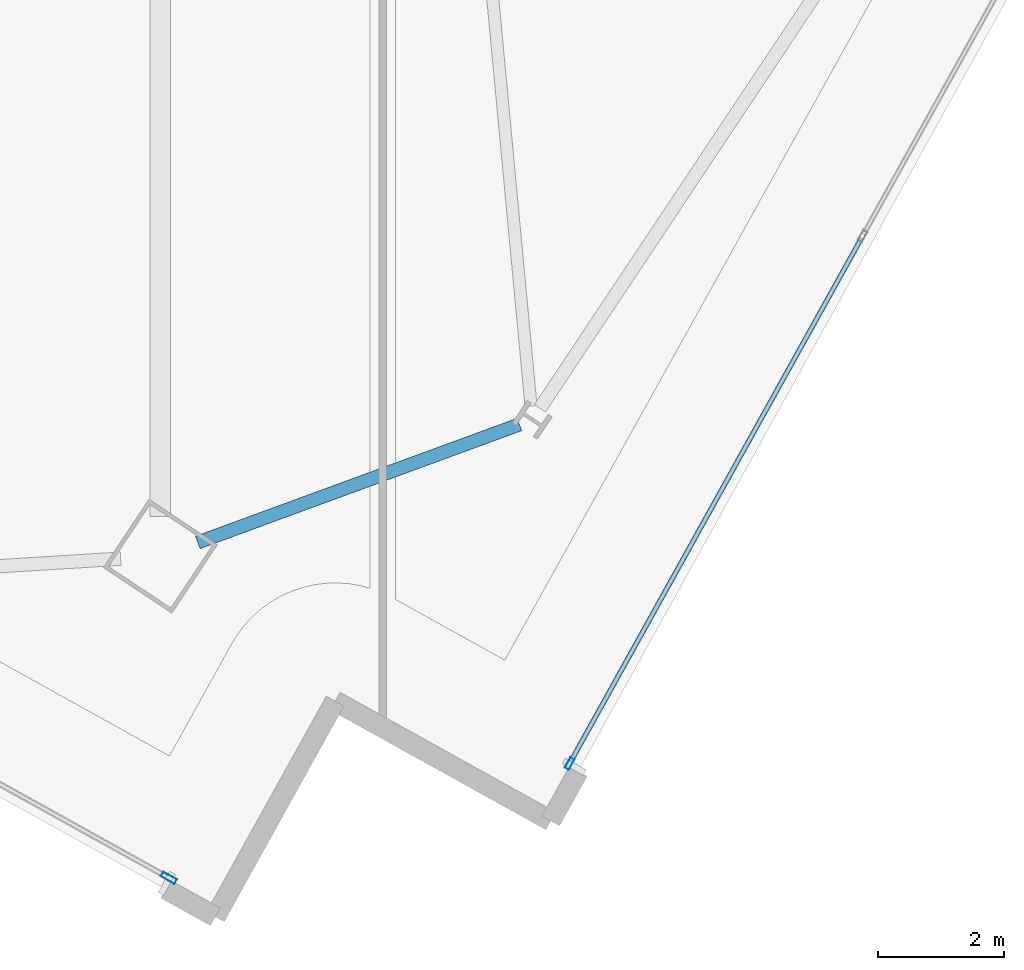
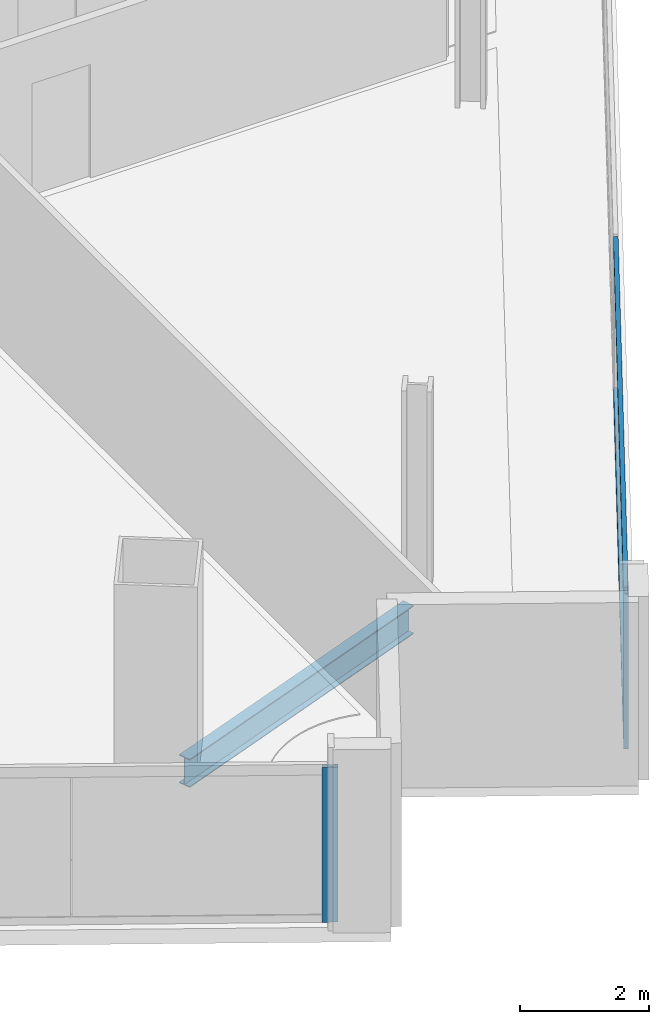
# One storey, part 7 of 28: 4 members, 1 beam, 2 elements without a shape of their own.
"""IFC4 building model written with IfcOpenShell, lengths in metres."""

import ifcopenshell
import ifcopenshell.guid

model = None  # the IFC model being written
_history = None  # IfcOwnerHistory: only IFC2X3 demands one
_inside = {}  # id of a spatial element -> (the spatial element, [elements in it])
_under = {}  # id of a project, library or spatial element -> (it, [spatial elements below it])
_declared = {}  # id of a project -> (the project, [libraries it declares])
_typed = {}  # id of a type object -> (the type object, [elements of that type])
_made_of = {}  # id of a material, layer set ... -> (it, [elements and type objects made of it])


def new_model(schema):
    """Start an empty IFC model of exactly this schema.

    Asked for "IFC4X3", IfcOpenShell would pick the latest addendum, in which some entities
    have other attributes; the version numbers below select the first issue.
    IFC2X3 requires an IfcOwnerHistory on every rooted entity: one is made here for all.
    """
    global model, _history
    if schema == "IFC4X3":
        model = ifcopenshell.file(schema_version=(4, 3, 0, 0))
    else:
        model = ifcopenshell.file(schema=schema)
    _inside.clear()
    _under.clear()
    _declared.clear()
    _typed.clear()
    _made_of.clear()
    _history = None
    if model.schema == "IFC2X3":
        org = make("IfcOrganization", Name="unknown")
        user = make(
            "IfcPersonAndOrganization",
            ThePerson=make("IfcPerson", FamilyName="unknown"),
            TheOrganization=org,
        )
        app = make(
            "IfcApplication",
            ApplicationDeveloper=org,
            Version="unknown",
            ApplicationFullName="unknown",
            ApplicationIdentifier="unknown",
        )
        _history = make(
            "IfcOwnerHistory",
            OwningUser=user,
            OwningApplication=app,
            ChangeAction="ADDED",
            CreationDate=0,
        )
    return model


def make(cls, **values):
    """One entity of the class cls with the attributes given. An attribute that is None is left unset."""
    return model.create_entity(
        cls, **{name: value for name, value in values.items() if value is not None}
    )


def rooted(cls, **values):
    """An entity with a GlobalId (a new one), such as an element, a storey or a relation."""
    return make(cls, GlobalId=ifcopenshell.guid.new(), OwnerHistory=_history, **values)


def si_unit(unit_type, name, prefix=None):
    """IfcSIUnit, for example si_unit("LENGTHUNIT", "METRE", prefix="MILLI")."""
    return make("IfcSIUnit", UnitType=unit_type, Prefix=prefix, Name=name)


def assignment(units):
    """IfcUnitAssignment: the units of a project."""
    return None if units is None else make("IfcUnitAssignment", Units=units)


def point(xyz):
    """IfcCartesianPoint."""
    return None if xyz is None else make("IfcCartesianPoint", Coordinates=xyz)


def direction(xyz):
    """IfcDirection."""
    return None if xyz is None else make("IfcDirection", DirectionRatios=xyz)


def frame(location, z_axis=None, x_axis=None):
    """IfcAxis2Placement3D, a coordinate frame: its origin and axes. An axis left out is left unset."""
    return make(
        "IfcAxis2Placement3D",
        Location=point(location),
        Axis=direction(z_axis),
        RefDirection=direction(x_axis),
    )


def frame_2d(location, x_axis=None):
    """IfcAxis2Placement2D, a coordinate frame in the plane: its origin and x axis."""
    return make(
        "IfcAxis2Placement2D", Location=point(location), RefDirection=direction(x_axis)
    )


def origin():
    """The frame at (0, 0, 0) with its axes left unset."""
    return frame((0.0, 0.0, 0.0))


def origin_2d():
    """The frame at (0, 0) in the plane with its x axis left unset."""
    return frame_2d((0.0, 0.0))


def place(relative_to, where):
    """IfcLocalPlacement: puts the frame where relative to a parent placement (None: the world)."""
    return make(
        "IfcLocalPlacement", PlacementRelTo=relative_to, RelativePlacement=where
    )


def context(
    kind, dimensions, precision=None, world=None, true_north=None, identifier=None
):
    """IfcGeometricRepresentationContext, for example the 3D "Model" context."""
    return make(
        "IfcGeometricRepresentationContext",
        ContextIdentifier=identifier,
        ContextType=kind,
        CoordinateSpaceDimension=dimensions,
        Precision=precision,
        WorldCoordinateSystem=world,
        TrueNorth=true_north,
    )


def subcontext(parent, identifier, kind, view, scale=None):
    """IfcGeometricRepresentationSubContext, for example "Body" below "Model"."""
    return make(
        "IfcGeometricRepresentationSubContext",
        ContextIdentifier=identifier,
        ContextType=kind,
        ParentContext=parent,
        TargetScale=scale,
        TargetView=view,
    )


def project(units=None, contexts=None):
    """IfcProject with its units and contexts."""
    return rooted(
        "IfcProject",
        Name="project",
        RepresentationContexts=contexts,
        UnitsInContext=assignment(units),
    )


def spatial(cls, under=None, at=None, **own):
    """A site, building, storey or space (cls), placed at a placement, below another one or the project."""
    s = rooted(cls, ObjectPlacement=at, **own)
    if under is not None:
        _under.setdefault(under.id(), (under, []))[1].append(s)
    return s


def profile(cls, at=None, kind="AREA", **sizes):
    """A parametric profile (cls). Its sizes go by their IFC names, for example OverallWidth=200.0."""
    return make(cls, ProfileType=kind, Position=at, **sizes)


def hollow_rectangle(**sizes):
    """IfcRectangleHollowProfileDef."""
    return profile("IfcRectangleHollowProfileDef", **sizes)


def i_section(**sizes):
    """IfcIShapeProfileDef."""
    return profile("IfcIShapeProfileDef", **sizes)


def extrude(swept, where, along, depth):
    """IfcExtrudedAreaSolid: the profile swept, set in the frame where, extruded along a direction by depth."""
    return make(
        "IfcExtrudedAreaSolid",
        SweptArea=swept,
        Position=where,
        ExtrudedDirection=direction(along),
        Depth=depth,
    )


def shape(context_of_items, identifier, shape_type, items):
    """IfcShapeRepresentation: the items that make up one representation, for example the "Body"."""
    return make(
        "IfcShapeRepresentation",
        ContextOfItems=context_of_items,
        RepresentationIdentifier=identifier,
        RepresentationType=shape_type,
        Items=items,
    )


def material(Name=None, Category=None):
    """IfcMaterial."""
    return make("IfcMaterial", Name=Name, Category=Category)


def material_profile(
    of_material, cross_section, Name=None, Category=None, Priority=None
):
    """IfcMaterialProfile: a cross section and its material."""
    return make(
        "IfcMaterialProfile",
        Name=Name,
        Material=of_material,
        Profile=cross_section,
        Priority=Priority,
        Category=Category,
    )


def profile_set(profiles, Name=None, composite=None):
    """IfcMaterialProfileSet."""
    return make(
        "IfcMaterialProfileSet",
        Name=Name,
        MaterialProfiles=profiles,
        CompositeProfile=composite,
    )


def made_of(thing, what):
    """Note that an element or type object is made of a material, layer set ...; save() writes the relation."""
    if what is not None:
        _made_of.setdefault(what.id(), (what, []))[1].append(thing)
    return thing


def type_object(cls, material=None, **own):
    """A type object (cls), such as IfcWallType, which elements share."""
    return made_of(rooted(cls, **own), material)


def element(
    cls,
    number,
    at=None,
    inside=None,
    cuts=None,
    type_object=None,
    material=None,
    context=None,
    identifier="Body",
    shape_type=None,
    held_by="IfcProductDefinitionShape",
    body=None,
    shapes=None,
    **own,
):
    """One element of the class cls, such as IfcWall. Its Tag is "e" and its number.

    at: its placement. inside: the storey or other place that contains it. cuts: it is an
    opening in that element (IfcRelVoidsElement). A single representation is given by context,
    identifier, shape_type and body (its items); several are given by shapes. held_by: the class
    of the entity that holds the representations. save() writes the other relations.
    """
    e = rooted(cls, Tag="e%d" % number, ObjectPlacement=at, **own)
    if body is not None:
        shapes = [shape(context, identifier, shape_type, body)]
    if shapes is not None:
        e.Representation = make(held_by, Representations=shapes)
    if inside is not None:
        _inside.setdefault(inside.id(), (inside, []))[1].append(e)
    if cuts is not None:
        rooted(
            "IfcRelVoidsElement", RelatingBuildingElement=cuts, RelatedOpeningElement=e
        )
    if type_object is not None:
        _typed.setdefault(type_object.id(), (type_object, []))[1].append(e)
    return made_of(e, material)


def aggregate(whole, parts):
    """IfcRelAggregates: a whole, such as a stair, and the parts it consists of."""
    return rooted("IfcRelAggregates", RelatingObject=whole, RelatedObjects=parts)


def save(model, path):
    """Write the relations noted so far, then the file.

    IfcRelAggregates (storeys below a building ...), IfcRelContainedInSpatialStructure (elements
    in a storey), IfcRelDefinesByType, IfcRelAssociatesMaterial and IfcRelDeclares: one each for
    every whole, place, type object, material and project.
    """
    for whole, parts in _under.values():
        aggregate(whole, parts)
    for where, things in _inside.values():
        rooted(
            "IfcRelContainedInSpatialStructure",
            RelatedElements=things,
            RelatingStructure=where,
        )
    for kind, things in _typed.values():
        rooted("IfcRelDefinesByType", RelatedObjects=things, RelatingType=kind)
    for what, things in _made_of.values():
        rooted("IfcRelAssociatesMaterial", RelatedObjects=things, RelatingMaterial=what)
    for by, libraries in _declared.values():
        rooted("IfcRelDeclares", RelatingContext=by, RelatedDefinitions=libraries)
    model.write(path)


model = new_model("IFC4")

# Units and contexts
model_context = context("Model", 3, precision=1e-05, world=origin(), true_north=direction((0.0, 1.0)))
body_context = subcontext(model_context, "Body", "Model", "MODEL_VIEW")
ifc_project = project(units=[si_unit("LENGTHUNIT", "METRE"), si_unit("AREAUNIT", "SQUARE_METRE"), si_unit("VOLUMEUNIT", "CUBIC_METRE"), si_unit("PLANEANGLEUNIT", "RADIAN"), si_unit("MASSUNIT", "GRAM", prefix="KILO")], contexts=[model_context])

# Site, building, storey
site_placement = place(None, origin())
site = spatial("IfcSite", under=ifc_project, at=site_placement, CompositionType="ELEMENT")
building_placement = place(site_placement, origin())
building = spatial("IfcBuilding", under=site, at=building_placement, Name="Haldenkirk Collegiate Tower", CompositionType="ELEMENT")
storey_placement = place(building_placement, frame((0.0, 0.0, 232.199951171875)))
storey = spatial("IfcBuildingStorey", under=building, at=storey_placement, Name="L58", CompositionType="ELEMENT", Elevation=232.199951171875)

# Beam
ifc_material_1 = material(Name="Steel ASTM A992 Grade 50", Category="steel")
ifc_material_profile_1 = material_profile(ifc_material_1, i_section(OverallWidth=0.2099609375, OverallDepth=0.537109375, WebThickness=0.010986328125, FlangeThickness=0.017333984375, at=origin_2d()), Name="W21X68")
ifc_profile_set_1 = profile_set([ifc_material_profile_1], Name="Steel ASTM A992 Grade 50")
beam_type = type_object("IfcBeamType", Name="BM-SPANDREL-W21X68", PredefinedType="SPANDREL", material=ifc_profile_set_1)
beam_placement = place(storey_placement, frame((41.07421875, 1.5498046875, -0.54833984375), z_axis=(0.938836975249, 0.344361922843, 0.0), x_axis=(-0.344361922843, 0.938836975249, 0.0)))
element("IfcBeam", 1, at=beam_placement, inside=storey, type_object=beam_type, Name="L58 perimeter spandrel beam 01", PredefinedType="SPANDREL", context=body_context, shape_type="SweptSolid", body=[
    extrude(i_section(OverallWidth=0.2099609375, OverallDepth=0.537109375, WebThickness=0.010986328125, FlangeThickness=0.017333984375, at=origin_2d()), origin(), (0.0, 0.0, 1.0), 5.41650390625),
])

# Curtain wall, member
ifc_material_2 = material(Name="Anodised architectural bronze aluminium", Category="aluminium")
curtain_wall_type_1 = type_object("IfcCurtainWallType", Name="CW-SYS2-CONCAVE", PredefinedType="USERDEFINED", material=ifc_material_2)
curtain_wall_1_placement = place(storey_placement, origin())
curtain_wall_1 = element("IfcCurtainWall", 2, at=curtain_wall_1_placement, inside=storey, type_object=curtain_wall_type_1, Name="L58 South concave recessed bronze-anodised curtain wall", ObjectType="UNITISED CURTAIN WALL", PredefinedType="USERDEFINED")
ifc_material_profile_2 = material_profile(ifc_material_2, hollow_rectangle(XDim=0.074951171875, YDim=0.18994140625, WallThickness=0.0048828125, at=origin_2d()), Name="CW-MUL-02")
ifc_profile_set_2 = profile_set([ifc_material_profile_2], Name="Anodised architectural bronze aluminium")
member_type_1 = type_object("IfcMemberType", Name="CW-MUL-02", PredefinedType="MULLION", material=ifc_profile_set_2)
member_1_placement = place(storey_placement, frame((46.95263671875, -1.946533203125, 0.0), z_axis=(0.0, 0.0, 1.0), x_axis=(0.874195452624, -0.485574207111, 0.0)))
member_1 = element("IfcMember", 3, at=member_1_placement, type_object=member_type_1, Name="CW-02 mullion 5", PredefinedType="MULLION", context=body_context, shape_type="SweptSolid", body=[
    extrude(hollow_rectangle(XDim=0.074951171875, YDim=0.18994140625, WallThickness=0.0048828125, at=origin_2d()), origin(), (0.0, 0.0, 1.0), 2.927978515625),
])

curtain_wall_type_2 = type_object("IfcCurtainWallType", Name="CW-SYS1B-CONVEX-HI", PredefinedType="USERDEFINED", material=ifc_material_2)
curtain_wall_2_placement = place(storey_placement, origin())
curtain_wall_2 = element("IfcCurtainWall", 4, at=curtain_wall_2_placement, inside=storey, type_object=curtain_wall_type_2, Name="L58 Upper tower high-wind convex bronze unitised curtain wall", ObjectType="UNITISED CURTAIN WALL", PredefinedType="USERDEFINED")
ifc_material_profile_3 = material_profile(ifc_material_2, hollow_rectangle(XDim=0.0849609375, YDim=0.25, WallThickness=0.0048828125, at=origin_2d()), Name="CW-MUL-1B")
ifc_profile_set_3 = profile_set([ifc_material_profile_3], Name="Anodised architectural bronze aluminium")
member_type_2 = type_object("IfcMemberType", Name="CW-MUL-1B", PredefinedType="MULLION", material=ifc_profile_set_3)
member_2_placement = place(storey_placement, frame((40.615234375, -3.754150390625, 0.0), z_axis=(0.0, 0.0, 1.0), x_axis=(-0.485574440308, -0.874195323094, 0.0)))
member_2 = element("IfcMember", 5, at=member_2_placement, type_object=member_type_2, Name="CW-1B mullion 1", PredefinedType="MULLION", context=body_context, shape_type="SweptSolid", body=[
    extrude(hollow_rectangle(XDim=0.0849609375, YDim=0.25, WallThickness=0.0048828125, at=origin_2d()), origin(), (0.0, 0.0, 1.0), 2.927978515625),
])
aggregate(curtain_wall_2, [member_2])

# Member
ifc_material_profile_4 = material_profile(ifc_material_2, hollow_rectangle(XDim=0.074951171875, YDim=0.159912109375, WallThickness=0.0048828125, at=origin_2d()), Name="CW-TRN-02")
ifc_profile_set_4 = profile_set([ifc_material_profile_4], Name="Anodised architectural bronze aluminium")
member_type_3 = type_object("IfcMemberType", Name="CW-TRN-02", PredefinedType="USERDEFINED", material=ifc_profile_set_4)
member_3_placement = place(storey_placement, frame((51.565673828125, 6.358154296875, 0.03759765625), z_axis=(-0.485577209954, -0.87419378468, 0.0), x_axis=(0.87419378468, -0.485577209954, 0.0)))
member_3 = element("IfcMember", 6, at=member_3_placement, type_object=member_type_3, Name="CW-02 transom 4.1", ObjectType="TRANSOM", PredefinedType="USERDEFINED", context=body_context, shape_type="SweptSolid", body=[
    extrude(hollow_rectangle(XDim=0.074951171875, YDim=0.159912109375, WallThickness=0.0048828125, at=origin_2d()), origin(), (0.0, 0.0, 1.0), 9.46240234375),
])

member_4_placement = place(storey_placement, frame((51.565673828125, 6.358154296875, 2.890625), z_axis=(-0.485577209954, -0.87419378468, 0.0), x_axis=(0.87419378468, -0.485577209954, 0.0)))
member_4 = element("IfcMember", 7, at=member_4_placement, type_object=member_type_3, Name="CW-02 transom 4.2", ObjectType="TRANSOM", PredefinedType="USERDEFINED", context=body_context, shape_type="SweptSolid", body=[
    extrude(hollow_rectangle(XDim=0.074951171875, YDim=0.159912109375, WallThickness=0.0048828125, at=origin_2d()), origin(), (0.0, 0.0, 1.0), 9.46240234375),
])

aggregate(curtain_wall_1, [member_1, member_3, member_4])

save(model, "model.ifc")
